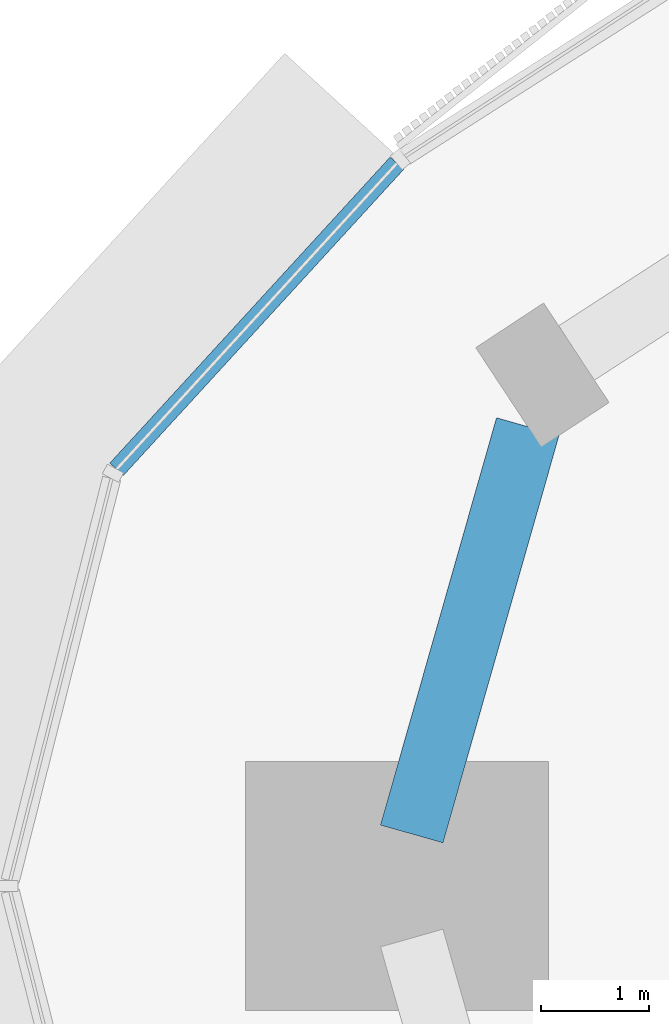
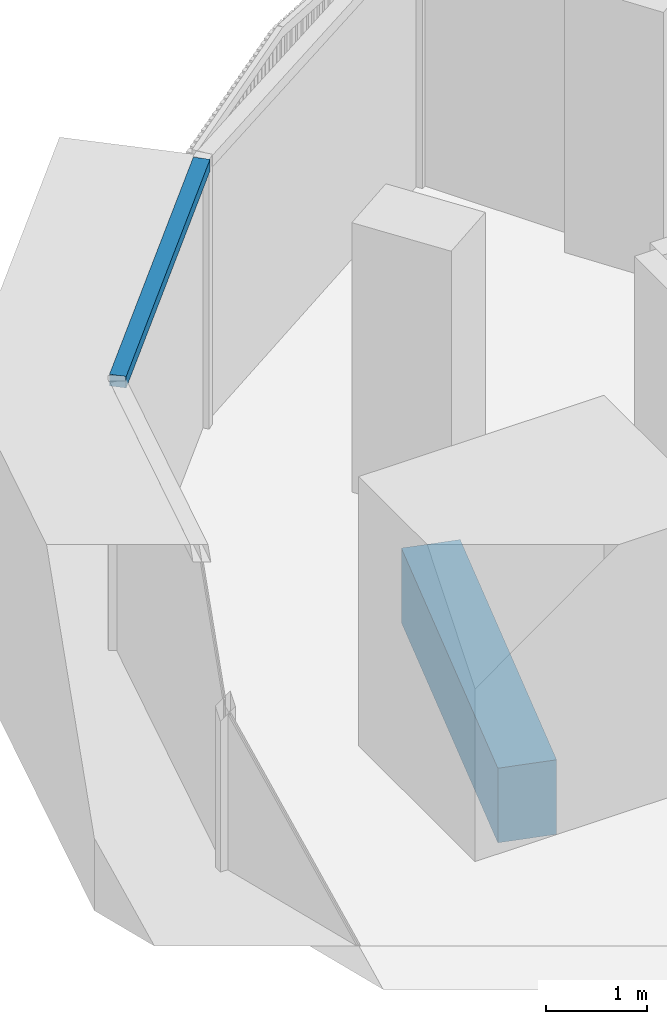
# One storey, part 3 of 16: 1 beam, 1 member, 1 element without a shape of its own.
"""IFC4 building model written with IfcOpenShell, lengths in metres."""

from ifc_helpers import new_model, si_unit, direction, frame, origin, origin_2d, place, context, subcontext, project, spatial, rectangle, extrude, material, material_profile, profile_set, type_object, element, aggregate, save


model = new_model("IFC4")

# Units and contexts
model_context = context("Model", 3, precision=1e-05, world=origin(), true_north=direction((0.0, 1.0)))
body_context = subcontext(model_context, "Body", "Model", "MODEL_VIEW")
ifc_project = project(units=[si_unit("LENGTHUNIT", "METRE"), si_unit("AREAUNIT", "SQUARE_METRE"), si_unit("VOLUMEUNIT", "CUBIC_METRE"), si_unit("PLANEANGLEUNIT", "RADIAN"), si_unit("MASSUNIT", "GRAM", prefix="KILO")], contexts=[model_context])

# Site, building, storey
site_placement = place(None, origin())
site = spatial("IfcSite", under=ifc_project, at=site_placement, CompositionType="ELEMENT")
building_placement = place(site_placement, origin())
building = spatial("IfcBuilding", under=site, at=building_placement, Name="Tamra Quay Hotel Tower", CompositionType="ELEMENT")
storey_placement = place(building_placement, frame((0.0, 0.0, 239.39990234375)))
storey = spatial("IfcBuildingStorey", under=building, at=storey_placement, Name="L60", CompositionType="ELEMENT", Elevation=239.39990234375)

# Beam
ifc_material_1 = material(Name="Concrete M60", Category="concrete")
ifc_material_profile_1 = material_profile(ifc_material_1, rectangle(XDim=0.60009765625, YDim=0.89990234375, at=origin_2d()), Name="SPANDREL BEAM RC 600x900")
ifc_profile_set_1 = profile_set([ifc_material_profile_1], Name="Concrete M60")
beam_type = type_object("IfcBeamType", Name="SPANDREL BEAM RC 600x900", PredefinedType="SPANDREL", material=ifc_profile_set_1)
beam_placement = place(storey_placement, frame((-24.2119140625, 4.24365234375, -0.7998046875), z_axis=(-0.273913429616, -0.961754351732, 0.0), x_axis=(0.961754351732, -0.273913429616, 0.0)))
element("IfcBeam", 1, at=beam_placement, inside=storey, type_object=beam_type, Name="BM-SP5-018-L60", PredefinedType="SPANDREL", context=body_context, shape_type="SweptSolid", body=[
    extrude(rectangle(XDim=0.60009765625, YDim=0.89990234375, at=origin_2d()), origin(), (0.0, 0.0, 1.0), 3.912841796875),
])

# Curtain wall, member
ifc_material_2 = material(Name="Aluminium 6063 anodised dark grey", Category="aluminium")
curtain_wall_type = type_object("IfcCurtainWallType", Name="CW2 CURTAIN WALL", PredefinedType="NOTDEFINED", material=ifc_material_2)
curtain_wall_placement = place(storey_placement, origin())
curtain_wall = element("IfcCurtainWall", 2, at=curtain_wall_placement, inside=storey, type_object=curtain_wall_type, Name="CW2 north-west face L60", PredefinedType="NOTDEFINED")
ifc_material_profile_2 = material_profile(ifc_material_2, rectangle(XDim=0.169921875, YDim=0.139892578125, at=origin_2d()), Name="TRANSOM 170X140")
ifc_profile_set_2 = profile_set([ifc_material_profile_2], Name="Aluminium 6063 anodised dark grey")
member_type = type_object("IfcMemberType", Name="TRANSOM CW2 Z5", PredefinedType="USERDEFINED", material=ifc_profile_set_2)
member_placement = place(storey_placement, frame((-25.421630859375, 6.67578125, 3.18017578125), z_axis=(-0.675436113267, -0.737418508647, 0.0), x_axis=(0.737418508647, -0.675436113267, 0.0)))
member = element("IfcMember", 3, at=member_placement, type_object=member_type, Name="CW2 transom L60.NW.9", ObjectType="TRANSOM", PredefinedType="USERDEFINED", context=body_context, shape_type="SweptSolid", body=[
    extrude(rectangle(XDim=0.169921875, YDim=0.139892578125, at=origin_2d()), origin(), (0.0, 0.0, 1.0), 3.83251953125),
])
aggregate(curtain_wall, [member])

save(model, "model.ifc")
